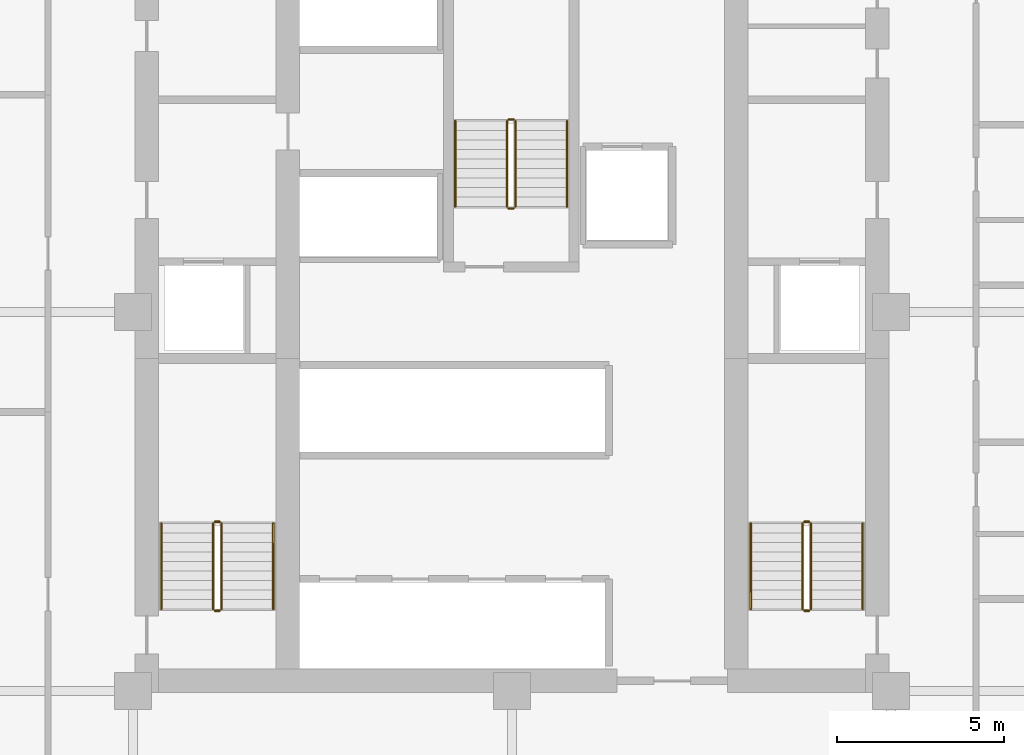
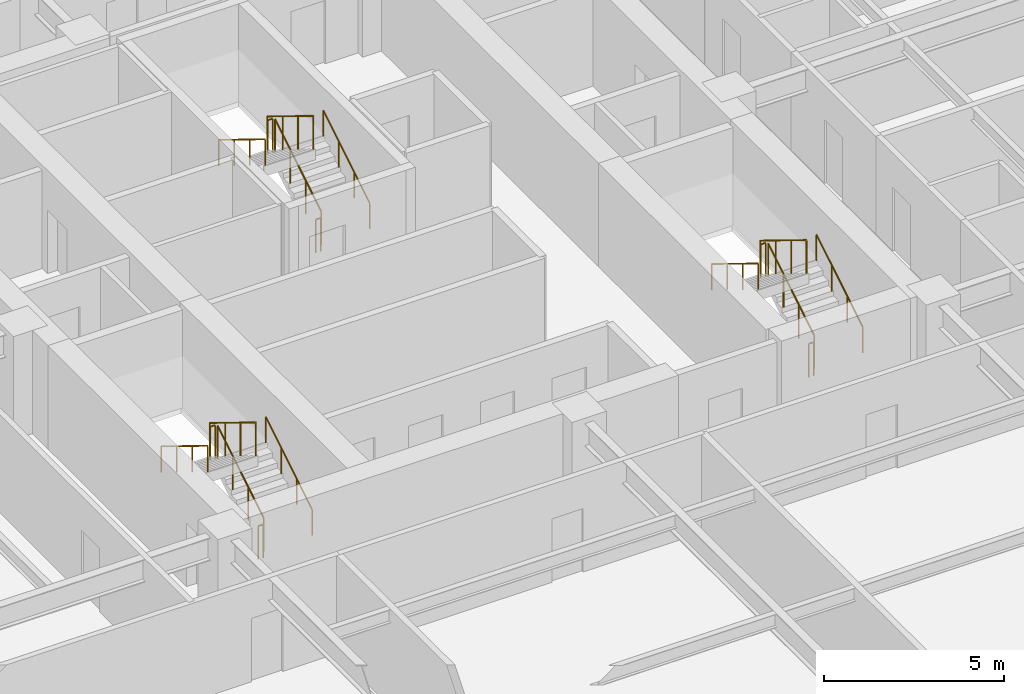
# One storey, part 8 of 8: 18 railings.
"""IFC4 building model written with IfcOpenShell, lengths in metres."""

import ifcopenshell
import ifcopenshell.guid

model = None  # the IFC model being written
_history = None  # IfcOwnerHistory: only IFC2X3 demands one
_inside = {}  # id of a spatial element -> (the spatial element, [elements in it])
_under = {}  # id of a project, library or spatial element -> (it, [spatial elements below it])
_declared = {}  # id of a project -> (the project, [libraries it declares])
_typed = {}  # id of a type object -> (the type object, [elements of that type])
_made_of = {}  # id of a material, layer set ... -> (it, [elements and type objects made of it])


def new_model(schema):
    """Start an empty IFC model of exactly this schema.

    Asked for "IFC4X3", IfcOpenShell would pick the latest addendum, in which some entities
    have other attributes; the version numbers below select the first issue.
    IFC2X3 requires an IfcOwnerHistory on every rooted entity: one is made here for all.
    """
    global model, _history
    if schema == "IFC4X3":
        model = ifcopenshell.file(schema_version=(4, 3, 0, 0))
    else:
        model = ifcopenshell.file(schema=schema)
    _inside.clear()
    _under.clear()
    _declared.clear()
    _typed.clear()
    _made_of.clear()
    _history = None
    if model.schema == "IFC2X3":
        org = make("IfcOrganization", Name="unknown")
        user = make(
            "IfcPersonAndOrganization",
            ThePerson=make("IfcPerson", FamilyName="unknown"),
            TheOrganization=org,
        )
        app = make(
            "IfcApplication",
            ApplicationDeveloper=org,
            Version="unknown",
            ApplicationFullName="unknown",
            ApplicationIdentifier="unknown",
        )
        _history = make(
            "IfcOwnerHistory",
            OwningUser=user,
            OwningApplication=app,
            ChangeAction="ADDED",
            CreationDate=0,
        )
    return model


def make(cls, **values):
    """One entity of the class cls with the attributes given. An attribute that is None is left unset."""
    return model.create_entity(
        cls, **{name: value for name, value in values.items() if value is not None}
    )


def rooted(cls, **values):
    """An entity with a GlobalId (a new one), such as an element, a storey or a relation."""
    return make(cls, GlobalId=ifcopenshell.guid.new(), OwnerHistory=_history, **values)


def si_unit(unit_type, name, prefix=None):
    """IfcSIUnit, for example si_unit("LENGTHUNIT", "METRE", prefix="MILLI")."""
    return make("IfcSIUnit", UnitType=unit_type, Prefix=prefix, Name=name)


def assignment(units):
    """IfcUnitAssignment: the units of a project."""
    return None if units is None else make("IfcUnitAssignment", Units=units)


def point(xyz):
    """IfcCartesianPoint."""
    return None if xyz is None else make("IfcCartesianPoint", Coordinates=xyz)


def direction(xyz):
    """IfcDirection."""
    return None if xyz is None else make("IfcDirection", DirectionRatios=xyz)


def frame(location, z_axis=None, x_axis=None):
    """IfcAxis2Placement3D, a coordinate frame: its origin and axes. An axis left out is left unset."""
    return make(
        "IfcAxis2Placement3D",
        Location=point(location),
        Axis=direction(z_axis),
        RefDirection=direction(x_axis),
    )


def frame_2d(location, x_axis=None):
    """IfcAxis2Placement2D, a coordinate frame in the plane: its origin and x axis."""
    return make(
        "IfcAxis2Placement2D", Location=point(location), RefDirection=direction(x_axis)
    )


def origin():
    """The frame at (0, 0, 0) with its axes left unset."""
    return frame((0.0, 0.0, 0.0))


def origin_2d():
    """The frame at (0, 0) in the plane with its x axis left unset."""
    return frame_2d((0.0, 0.0))


def place(relative_to, where):
    """IfcLocalPlacement: puts the frame where relative to a parent placement (None: the world)."""
    return make(
        "IfcLocalPlacement", PlacementRelTo=relative_to, RelativePlacement=where
    )


def context(
    kind, dimensions, precision=None, world=None, true_north=None, identifier=None
):
    """IfcGeometricRepresentationContext, for example the 3D "Model" context."""
    return make(
        "IfcGeometricRepresentationContext",
        ContextIdentifier=identifier,
        ContextType=kind,
        CoordinateSpaceDimension=dimensions,
        Precision=precision,
        WorldCoordinateSystem=world,
        TrueNorth=true_north,
    )


def subcontext(parent, identifier, kind, view, scale=None):
    """IfcGeometricRepresentationSubContext, for example "Body" below "Model"."""
    return make(
        "IfcGeometricRepresentationSubContext",
        ContextIdentifier=identifier,
        ContextType=kind,
        ParentContext=parent,
        TargetScale=scale,
        TargetView=view,
    )


def project(units=None, contexts=None):
    """IfcProject with its units and contexts."""
    return rooted(
        "IfcProject",
        Name="project",
        RepresentationContexts=contexts,
        UnitsInContext=assignment(units),
    )


def spatial(cls, under=None, at=None, **own):
    """A site, building, storey or space (cls), placed at a placement, below another one or the project."""
    s = rooted(cls, ObjectPlacement=at, **own)
    if under is not None:
        _under.setdefault(under.id(), (under, []))[1].append(s)
    return s


def profile(cls, at=None, kind="AREA", **sizes):
    """A parametric profile (cls). Its sizes go by their IFC names, for example OverallWidth=200.0."""
    return make(cls, ProfileType=kind, Position=at, **sizes)


def circle(**sizes):
    """IfcCircleProfileDef."""
    return profile("IfcCircleProfileDef", **sizes)


def extrude(swept, where, along, depth):
    """IfcExtrudedAreaSolid: the profile swept, set in the frame where, extruded along a direction by depth."""
    return make(
        "IfcExtrudedAreaSolid",
        SweptArea=swept,
        Position=where,
        ExtrudedDirection=direction(along),
        Depth=depth,
    )


def shape(context_of_items, identifier, shape_type, items):
    """IfcShapeRepresentation: the items that make up one representation, for example the "Body"."""
    return make(
        "IfcShapeRepresentation",
        ContextOfItems=context_of_items,
        RepresentationIdentifier=identifier,
        RepresentationType=shape_type,
        Items=items,
    )


def material(Name=None, Category=None):
    """IfcMaterial."""
    return make("IfcMaterial", Name=Name, Category=Category)


def made_of(thing, what):
    """Note that an element or type object is made of a material, layer set ...; save() writes the relation."""
    if what is not None:
        _made_of.setdefault(what.id(), (what, []))[1].append(thing)
    return thing


def type_object(cls, material=None, **own):
    """A type object (cls), such as IfcWallType, which elements share."""
    return made_of(rooted(cls, **own), material)


def element(
    cls,
    number,
    at=None,
    inside=None,
    cuts=None,
    type_object=None,
    material=None,
    context=None,
    identifier="Body",
    shape_type=None,
    held_by="IfcProductDefinitionShape",
    body=None,
    shapes=None,
    **own,
):
    """One element of the class cls, such as IfcWall. Its Tag is "e" and its number.

    at: its placement. inside: the storey or other place that contains it. cuts: it is an
    opening in that element (IfcRelVoidsElement). A single representation is given by context,
    identifier, shape_type and body (its items); several are given by shapes. held_by: the class
    of the entity that holds the representations. save() writes the other relations.
    """
    e = rooted(cls, Tag="e%d" % number, ObjectPlacement=at, **own)
    if body is not None:
        shapes = [shape(context, identifier, shape_type, body)]
    if shapes is not None:
        e.Representation = make(held_by, Representations=shapes)
    if inside is not None:
        _inside.setdefault(inside.id(), (inside, []))[1].append(e)
    if cuts is not None:
        rooted(
            "IfcRelVoidsElement", RelatingBuildingElement=cuts, RelatedOpeningElement=e
        )
    if type_object is not None:
        _typed.setdefault(type_object.id(), (type_object, []))[1].append(e)
    return made_of(e, material)


def aggregate(whole, parts):
    """IfcRelAggregates: a whole, such as a stair, and the parts it consists of."""
    return rooted("IfcRelAggregates", RelatingObject=whole, RelatedObjects=parts)


def save(model, path):
    """Write the relations noted so far, then the file.

    IfcRelAggregates (storeys below a building ...), IfcRelContainedInSpatialStructure (elements
    in a storey), IfcRelDefinesByType, IfcRelAssociatesMaterial and IfcRelDeclares: one each for
    every whole, place, type object, material and project.
    """
    for whole, parts in _under.values():
        aggregate(whole, parts)
    for where, things in _inside.values():
        rooted(
            "IfcRelContainedInSpatialStructure",
            RelatedElements=things,
            RelatingStructure=where,
        )
    for kind, things in _typed.values():
        rooted("IfcRelDefinesByType", RelatedObjects=things, RelatingType=kind)
    for what, things in _made_of.values():
        rooted("IfcRelAssociatesMaterial", RelatedObjects=things, RelatingMaterial=what)
    for by, libraries in _declared.values():
        rooted("IfcRelDeclares", RelatingContext=by, RelatedDefinitions=libraries)
    model.write(path)


model = new_model("IFC4")

# Units and contexts
model_context = context("Model", 3, precision=1e-05, world=origin(), true_north=direction((0.0, 1.0)))
body_context = subcontext(model_context, "Body", "Model", "MODEL_VIEW")
ifc_project = project(units=[si_unit("LENGTHUNIT", "METRE"), si_unit("AREAUNIT", "SQUARE_METRE"), si_unit("VOLUMEUNIT", "CUBIC_METRE"), si_unit("PLANEANGLEUNIT", "RADIAN"), si_unit("MASSUNIT", "GRAM", prefix="KILO")], contexts=[model_context])

# Site, building, storey
site_placement = place(None, origin())
site = spatial("IfcSite", under=ifc_project, at=site_placement, CompositionType="ELEMENT")
building_placement = place(site_placement, origin())
building = spatial("IfcBuilding", under=site, at=building_placement, Name="Nhamokura Convention Tower", CompositionType="ELEMENT")
storey_placement = place(building_placement, frame((0.0, 0.0, 56.35009765625)))
storey = spatial("IfcBuildingStorey", under=building, at=storey_placement, Name="L12", CompositionType="ELEMENT", Elevation=56.35009765625)

# Railings
ifc_material_1 = material(Name="Anodised bronze stainless steel", Category="steel")
railing_type_1 = type_object("IfcRailingType", Name="StairWallHandrail_900", PredefinedType="HANDRAIL", material=ifc_material_1)
railing_1_placement = place(storey_placement, frame((24.85009765625, 23.10009765625, 0.1748046875)))
element("IfcRailing", 1, at=railing_1_placement, inside=storey, type_object=railing_type_1, Name="L12 ST-01 stair handrail 1", PredefinedType="HANDRAIL", context=body_context, shape_type="SweptSolid", body=[
    extrude(circle(Radius=0.02392578125, at=origin_2d()), frame((0.0, 0.0, 0.8759765625), z_axis=(0.0, 0.85213695991, 0.523318833556), x_axis=(-1.0, 0.0, 0.0)), (0.0, 0.0, 1.0), 3.010009765625),
    extrude(circle(Radius=0.02099609375, at=origin_2d()), origin(), (0.0, 0.0, 1.0), 0.851806640625),
    extrude(circle(Radius=0.02099609375, at=origin_2d()), frame((0.0, 0.85498046875, 0.525146484375)), (0.0, 0.0, 1.0), 0.851806640625),
    extrude(circle(Radius=0.02099609375, at=origin_2d()), frame((0.0, 1.7099609375, 1.050048828125)), (0.0, 0.0, 1.0), 0.851806640625),
    extrude(circle(Radius=0.02099609375, at=origin_2d()), frame((0.0, 2.56494140625, 1.5751953125)), (0.0, 0.0, 1.0), 0.851806640625),
])
railing_2_placement = place(storey_placement, frame((21.5, 25.6650390625, 1.9248046875)))
element("IfcRailing", 2, at=railing_2_placement, inside=storey, type_object=railing_type_1, Name="L12 ST-01 stair handrail 2", PredefinedType="HANDRAIL", context=body_context, shape_type="SweptSolid", body=[
    extrude(circle(Radius=0.02392578125, at=origin_2d()), frame((0.0, 0.0, 0.8759765625), z_axis=(0.0, -0.85213695991, 0.523318833556), x_axis=(1.0, 0.0, 0.0)), (0.0, 0.0, 1.0), 3.010009765625),
    extrude(circle(Radius=0.02099609375, at=origin_2d()), origin(), (0.0, 0.0, 1.0), 0.851806640625),
    extrude(circle(Radius=0.02099609375, at=origin_2d()), frame((0.0, -0.85498046875, 0.525146484375)), (0.0, 0.0, 1.0), 0.851806640625),
    extrude(circle(Radius=0.02099609375, at=origin_2d()), frame((0.0, -1.7099609375, 1.050048828125)), (0.0, 0.0, 1.0), 0.851806640625),
    extrude(circle(Radius=0.02099609375, at=origin_2d()), frame((0.0, -2.56494140625, 1.5751953125)), (0.0, 0.0, 1.0), 0.851806640625),
])
railing_3_placement = place(storey_placement, frame((42.5, 23.10009765625, 0.1748046875)))
element("IfcRailing", 3, at=railing_3_placement, inside=storey, type_object=railing_type_1, Name="L12 ST-02 stair handrail 1", PredefinedType="HANDRAIL", context=body_context, shape_type="SweptSolid", body=[
    extrude(circle(Radius=0.02392578125, at=origin_2d()), frame((0.0, 0.0, 0.8759765625), z_axis=(0.0, 0.85213695991, 0.523318833556), x_axis=(-1.0, 0.0, 0.0)), (0.0, 0.0, 1.0), 3.010009765625),
    extrude(circle(Radius=0.02099609375, at=origin_2d()), origin(), (0.0, 0.0, 1.0), 0.851806640625),
    extrude(circle(Radius=0.02099609375, at=origin_2d()), frame((0.0, 0.85498046875, 0.525146484375)), (0.0, 0.0, 1.0), 0.851806640625),
    extrude(circle(Radius=0.02099609375, at=origin_2d()), frame((0.0, 1.7099609375, 1.050048828125)), (0.0, 0.0, 1.0), 0.851806640625),
    extrude(circle(Radius=0.02099609375, at=origin_2d()), frame((0.0, 2.56494140625, 1.5751953125)), (0.0, 0.0, 1.0), 0.851806640625),
])
railing_4_placement = place(storey_placement, frame((39.14990234375, 25.6650390625, 1.9248046875)))
element("IfcRailing", 4, at=railing_4_placement, inside=storey, type_object=railing_type_1, Name="L12 ST-02 stair handrail 2", PredefinedType="HANDRAIL", context=body_context, shape_type="SweptSolid", body=[
    extrude(circle(Radius=0.02392578125, at=origin_2d()), frame((0.0, 0.0, 0.8759765625), z_axis=(0.0, -0.85213695991, 0.523318833556), x_axis=(1.0, 0.0, 0.0)), (0.0, 0.0, 1.0), 3.010009765625),
    extrude(circle(Radius=0.02099609375, at=origin_2d()), origin(), (0.0, 0.0, 1.0), 0.851806640625),
    extrude(circle(Radius=0.02099609375, at=origin_2d()), frame((0.0, -0.85498046875, 0.525146484375)), (0.0, 0.0, 1.0), 0.851806640625),
    extrude(circle(Radius=0.02099609375, at=origin_2d()), frame((0.0, -1.7099609375, 1.050048828125)), (0.0, 0.0, 1.0), 0.851806640625),
    extrude(circle(Radius=0.02099609375, at=origin_2d()), frame((0.0, -2.56494140625, 1.5751953125)), (0.0, 0.0, 1.0), 0.851806640625),
])
railing_5_placement = place(storey_placement, frame((33.64990234375, 35.14990234375, 0.1748046875)))
element("IfcRailing", 5, at=railing_5_placement, inside=storey, type_object=railing_type_1, Name="L12 ST-03 stair handrail 1", PredefinedType="HANDRAIL", context=body_context, shape_type="SweptSolid", body=[
    extrude(circle(Radius=0.02392578125, at=origin_2d()), frame((0.0, 0.0, 0.8759765625), z_axis=(0.0, 0.852159170481, 0.523282665646), x_axis=(-1.0, 0.0, 0.0)), (0.0, 0.0, 1.0), 3.01025390625),
    extrude(circle(Radius=0.02099609375, at=origin_2d()), origin(), (0.0, 0.0, 1.0), 0.851806640625),
    extrude(circle(Radius=0.02099609375, at=origin_2d()), frame((0.0, 0.85498046875, 0.525146484375)), (0.0, 0.0, 1.0), 0.851806640625),
    extrude(circle(Radius=0.02099609375, at=origin_2d()), frame((0.0, 1.710205078125, 1.050048828125)), (0.0, 0.0, 1.0), 0.851806640625),
    extrude(circle(Radius=0.02099609375, at=origin_2d()), frame((0.0, 2.565185546875, 1.5751953125)), (0.0, 0.0, 1.0), 0.851806640625),
])
railing_6_placement = place(storey_placement, frame((30.300048828125, 37.715087890625, 1.9248046875)))
element("IfcRailing", 6, at=railing_6_placement, inside=storey, type_object=railing_type_1, Name="L12 ST-03 stair handrail 2", PredefinedType="HANDRAIL", context=body_context, shape_type="SweptSolid", body=[
    extrude(circle(Radius=0.02392578125, at=origin_2d()), frame((0.0, 0.0, 0.8759765625), z_axis=(0.0, -0.852159170481, 0.523282665646), x_axis=(1.0, 0.0, 0.0)), (0.0, 0.0, 1.0), 3.01025390625),
    extrude(circle(Radius=0.02099609375, at=origin_2d()), origin(), (0.0, 0.0, 1.0), 0.851806640625),
    extrude(circle(Radius=0.02099609375, at=origin_2d()), frame((0.0, -0.85498046875, 0.525146484375)), (0.0, 0.0, 1.0), 0.851806640625),
    extrude(circle(Radius=0.02099609375, at=origin_2d()), frame((0.0, -1.710205078125, 1.050048828125)), (0.0, 0.0, 1.0), 0.851806640625),
    extrude(circle(Radius=0.02099609375, at=origin_2d()), frame((0.0, -2.565185546875, 1.5751953125)), (0.0, 0.0, 1.0), 0.851806640625),
])
ifc_material_2 = material(Name="Painted tubular steel", Category="steel")
railing_type_2 = type_object("IfcRailingType", Name="StairWellGuardrail_1150", PredefinedType="GUARDRAIL", material=ifc_material_2)
railing_7_placement = place(storey_placement, frame((23.300048828125, 23.10009765625, 0.1748046875)))
element("IfcRailing", 7, at=railing_7_placement, inside=storey, type_object=railing_type_2, Name="L12 ST-01 stair guard 1", PredefinedType="GUARDRAIL", context=body_context, shape_type="SweptSolid", body=[
    extrude(circle(Radius=0.02392578125, at=origin_2d()), frame((0.0, 0.0, 1.1259765625), z_axis=(0.0, 0.85213695991, 0.523318833556), x_axis=(-1.0, 0.0, 0.0)), (0.0, 0.0, 1.0), 3.010009765625),
    extrude(circle(Radius=0.02099609375, at=origin_2d()), origin(), (0.0, 0.0, 1.0), 1.101806640625),
    extrude(circle(Radius=0.02099609375, at=origin_2d()), frame((0.0, 0.85498046875, 0.525146484375)), (0.0, 0.0, 1.0), 1.101806640625),
    extrude(circle(Radius=0.02099609375, at=origin_2d()), frame((0.0, 1.7099609375, 1.050048828125)), (0.0, 0.0, 1.0), 1.101806640625),
    extrude(circle(Radius=0.02099609375, at=origin_2d()), frame((0.0, 2.56494140625, 1.5751953125)), (0.0, 0.0, 1.0), 1.101806640625),
])
railing_8_placement = place(storey_placement, frame((23.25, 25.715087890625, 1.75)))
element("IfcRailing", 8, at=railing_8_placement, inside=storey, type_object=railing_type_2, Name="L12 ST-01 stair guard 2", PredefinedType="GUARDRAIL", context=body_context, shape_type="SweptSolid", body=[
    extrude(circle(Radius=0.02392578125, at=origin_2d()), frame((0.0, 0.0, 1.1259765625), z_axis=(-1.0, 0.0, 0.0), x_axis=(0.0, -1.0, 0.0)), (0.0, 0.0, 1.0), 0.14990234375),
    extrude(circle(Radius=0.02099609375, at=origin_2d()), origin(), (0.0, 0.0, 1.0), 1.101806640625),
    extrude(circle(Radius=0.02099609375, at=origin_2d()), frame((-0.14990234375, 0.0, 0.0)), (0.0, 0.0, 1.0), 1.101806640625),
])
railing_9_placement = place(storey_placement, frame((23.050048828125, 25.6650390625, 1.9248046875)))
element("IfcRailing", 9, at=railing_9_placement, inside=storey, type_object=railing_type_2, Name="L12 ST-01 stair guard 3", PredefinedType="GUARDRAIL", context=body_context, shape_type="SweptSolid", body=[
    extrude(circle(Radius=0.02392578125, at=origin_2d()), frame((0.0, 0.0, 1.1259765625), z_axis=(0.0, -0.85213695991, 0.523318833556), x_axis=(1.0, 0.0, 0.0)), (0.0, 0.0, 1.0), 3.010009765625),
    extrude(circle(Radius=0.02099609375, at=origin_2d()), origin(), (0.0, 0.0, 1.0), 1.101806640625),
    extrude(circle(Radius=0.02099609375, at=origin_2d()), frame((0.0, -0.85498046875, 0.525146484375)), (0.0, 0.0, 1.0), 1.101806640625),
    extrude(circle(Radius=0.02099609375, at=origin_2d()), frame((0.0, -1.7099609375, 1.050048828125)), (0.0, 0.0, 1.0), 1.101806640625),
    extrude(circle(Radius=0.02099609375, at=origin_2d()), frame((0.0, -2.56494140625, 1.5751953125)), (0.0, 0.0, 1.0), 1.101806640625),
])
railing_10_placement = place(storey_placement, frame((23.25, 23.050048828125, 0.0)))
element("IfcRailing", 10, at=railing_10_placement, inside=storey, type_object=railing_type_2, Name="L12 ST-01 stair guard 4", PredefinedType="GUARDRAIL", context=body_context, shape_type="SweptSolid", body=[
    extrude(circle(Radius=0.02392578125, at=origin_2d()), frame((0.0, 0.0, 1.1259765625), z_axis=(-1.0, 0.0, 0.0), x_axis=(0.0, -1.0, 0.0)), (0.0, 0.0, 1.0), 0.14990234375),
    extrude(circle(Radius=0.02099609375, at=origin_2d()), origin(), (0.0, 0.0, 1.0), 1.101806640625),
    extrude(circle(Radius=0.02099609375, at=origin_2d()), frame((-0.14990234375, 0.0, 0.0)), (0.0, 0.0, 1.0), 1.101806640625),
])
railing_11_placement = place(storey_placement, frame((40.949951171875, 23.10009765625, 0.1748046875)))
element("IfcRailing", 11, at=railing_11_placement, inside=storey, type_object=railing_type_2, Name="L12 ST-02 stair guard 1", PredefinedType="GUARDRAIL", context=body_context, shape_type="SweptSolid", body=[
    extrude(circle(Radius=0.02392578125, at=origin_2d()), frame((0.0, 0.0, 1.1259765625), z_axis=(0.0, 0.85213695991, 0.523318833556), x_axis=(-1.0, 0.0, 0.0)), (0.0, 0.0, 1.0), 3.010009765625),
    extrude(circle(Radius=0.02099609375, at=origin_2d()), origin(), (0.0, 0.0, 1.0), 1.101806640625),
    extrude(circle(Radius=0.02099609375, at=origin_2d()), frame((0.0, 0.85498046875, 0.525146484375)), (0.0, 0.0, 1.0), 1.101806640625),
    extrude(circle(Radius=0.02099609375, at=origin_2d()), frame((0.0, 1.7099609375, 1.050048828125)), (0.0, 0.0, 1.0), 1.101806640625),
    extrude(circle(Radius=0.02099609375, at=origin_2d()), frame((0.0, 2.56494140625, 1.5751953125)), (0.0, 0.0, 1.0), 1.101806640625),
])
railing_12_placement = place(storey_placement, frame((40.89990234375, 25.715087890625, 1.75)))
element("IfcRailing", 12, at=railing_12_placement, inside=storey, type_object=railing_type_2, Name="L12 ST-02 stair guard 2", PredefinedType="GUARDRAIL", context=body_context, shape_type="SweptSolid", body=[
    extrude(circle(Radius=0.02392578125, at=origin_2d()), frame((0.0, 0.0, 1.1259765625), z_axis=(-1.0, 0.0, 0.0), x_axis=(0.0, -1.0, 0.0)), (0.0, 0.0, 1.0), 0.14990234375),
    extrude(circle(Radius=0.02099609375, at=origin_2d()), origin(), (0.0, 0.0, 1.0), 1.101806640625),
    extrude(circle(Radius=0.02099609375, at=origin_2d()), frame((-0.14990234375, 0.0, 0.0)), (0.0, 0.0, 1.0), 1.101806640625),
])
railing_13_placement = place(storey_placement, frame((40.699951171875, 25.6650390625, 1.9248046875)))
element("IfcRailing", 13, at=railing_13_placement, inside=storey, type_object=railing_type_2, Name="L12 ST-02 stair guard 3", PredefinedType="GUARDRAIL", context=body_context, shape_type="SweptSolid", body=[
    extrude(circle(Radius=0.02392578125, at=origin_2d()), frame((0.0, 0.0, 1.1259765625), z_axis=(0.0, -0.85213695991, 0.523318833556), x_axis=(1.0, 0.0, 0.0)), (0.0, 0.0, 1.0), 3.010009765625),
    extrude(circle(Radius=0.02099609375, at=origin_2d()), origin(), (0.0, 0.0, 1.0), 1.101806640625),
    extrude(circle(Radius=0.02099609375, at=origin_2d()), frame((0.0, -0.85498046875, 0.525146484375)), (0.0, 0.0, 1.0), 1.101806640625),
    extrude(circle(Radius=0.02099609375, at=origin_2d()), frame((0.0, -1.7099609375, 1.050048828125)), (0.0, 0.0, 1.0), 1.101806640625),
    extrude(circle(Radius=0.02099609375, at=origin_2d()), frame((0.0, -2.56494140625, 1.5751953125)), (0.0, 0.0, 1.0), 1.101806640625),
])
railing_14_placement = place(storey_placement, frame((40.89990234375, 23.050048828125, 0.0)))
element("IfcRailing", 14, at=railing_14_placement, inside=storey, type_object=railing_type_2, Name="L12 ST-02 stair guard 4", PredefinedType="GUARDRAIL", context=body_context, shape_type="SweptSolid", body=[
    extrude(circle(Radius=0.02392578125, at=origin_2d()), frame((0.0, 0.0, 1.1259765625), z_axis=(-1.0, 0.0, 0.0), x_axis=(0.0, -1.0, 0.0)), (0.0, 0.0, 1.0), 0.14990234375),
    extrude(circle(Radius=0.02099609375, at=origin_2d()), origin(), (0.0, 0.0, 1.0), 1.101806640625),
    extrude(circle(Radius=0.02099609375, at=origin_2d()), frame((-0.14990234375, 0.0, 0.0)), (0.0, 0.0, 1.0), 1.101806640625),
])
railing_15_placement = place(storey_placement, frame((32.10009765625, 35.14990234375, 0.1748046875)))
element("IfcRailing", 15, at=railing_15_placement, inside=storey, type_object=railing_type_2, Name="L12 ST-03 stair guard 1", PredefinedType="GUARDRAIL", context=body_context, shape_type="SweptSolid", body=[
    extrude(circle(Radius=0.02392578125, at=origin_2d()), frame((0.0, 0.0, 1.1259765625), z_axis=(0.0, 0.852159170481, 0.523282665646), x_axis=(-1.0, 0.0, 0.0)), (0.0, 0.0, 1.0), 3.01025390625),
    extrude(circle(Radius=0.02099609375, at=origin_2d()), origin(), (0.0, 0.0, 1.0), 1.101806640625),
    extrude(circle(Radius=0.02099609375, at=origin_2d()), frame((0.0, 0.85498046875, 0.525146484375)), (0.0, 0.0, 1.0), 1.101806640625),
    extrude(circle(Radius=0.02099609375, at=origin_2d()), frame((0.0, 1.710205078125, 1.050048828125)), (0.0, 0.0, 1.0), 1.101806640625),
    extrude(circle(Radius=0.02099609375, at=origin_2d()), frame((0.0, 2.565185546875, 1.5751953125)), (0.0, 0.0, 1.0), 1.101806640625),
])
railing_16_placement = place(storey_placement, frame((32.050048828125, 37.764892578125, 1.75)))
element("IfcRailing", 16, at=railing_16_placement, inside=storey, type_object=railing_type_2, Name="L12 ST-03 stair guard 2", PredefinedType="GUARDRAIL", context=body_context, shape_type="SweptSolid", body=[
    extrude(circle(Radius=0.02392578125, at=origin_2d()), frame((0.0, 0.0, 1.1259765625), z_axis=(-1.0, 0.0, 0.0), x_axis=(0.0, -1.0, 0.0)), (0.0, 0.0, 1.0), 0.150146484375),
    extrude(circle(Radius=0.02099609375, at=origin_2d()), origin(), (0.0, 0.0, 1.0), 1.101806640625),
    extrude(circle(Radius=0.02099609375, at=origin_2d()), frame((-0.150146484375, 0.0, 0.0)), (0.0, 0.0, 1.0), 1.101806640625),
])
railing_17_placement = place(storey_placement, frame((31.85009765625, 37.715087890625, 1.9248046875)))
element("IfcRailing", 17, at=railing_17_placement, inside=storey, type_object=railing_type_2, Name="L12 ST-03 stair guard 3", PredefinedType="GUARDRAIL", context=body_context, shape_type="SweptSolid", body=[
    extrude(circle(Radius=0.02392578125, at=origin_2d()), frame((0.0, 0.0, 1.1259765625), z_axis=(0.0, -0.852159170481, 0.523282665646), x_axis=(1.0, 0.0, 0.0)), (0.0, 0.0, 1.0), 3.01025390625),
    extrude(circle(Radius=0.02099609375, at=origin_2d()), origin(), (0.0, 0.0, 1.0), 1.101806640625),
    extrude(circle(Radius=0.02099609375, at=origin_2d()), frame((0.0, -0.85498046875, 0.525146484375)), (0.0, 0.0, 1.0), 1.101806640625),
    extrude(circle(Radius=0.02099609375, at=origin_2d()), frame((0.0, -1.710205078125, 1.050048828125)), (0.0, 0.0, 1.0), 1.101806640625),
    extrude(circle(Radius=0.02099609375, at=origin_2d()), frame((0.0, -2.565185546875, 1.5751953125)), (0.0, 0.0, 1.0), 1.101806640625),
])
railing_18_placement = place(storey_placement, frame((32.050048828125, 35.10009765625, 0.0)))
element("IfcRailing", 18, at=railing_18_placement, inside=storey, type_object=railing_type_2, Name="L12 ST-03 stair guard 4", PredefinedType="GUARDRAIL", context=body_context, shape_type="SweptSolid", body=[
    extrude(circle(Radius=0.02392578125, at=origin_2d()), frame((0.0, 0.0, 1.1259765625), z_axis=(-1.0, 0.0, 0.0), x_axis=(0.0, -1.0, 0.0)), (0.0, 0.0, 1.0), 0.150146484375),
    extrude(circle(Radius=0.02099609375, at=origin_2d()), origin(), (0.0, 0.0, 1.0), 1.101806640625),
    extrude(circle(Radius=0.02099609375, at=origin_2d()), frame((-0.150146484375, 0.0, 0.0)), (0.0, 0.0, 1.0), 1.101806640625),
])

save(model, "model.ifc")
